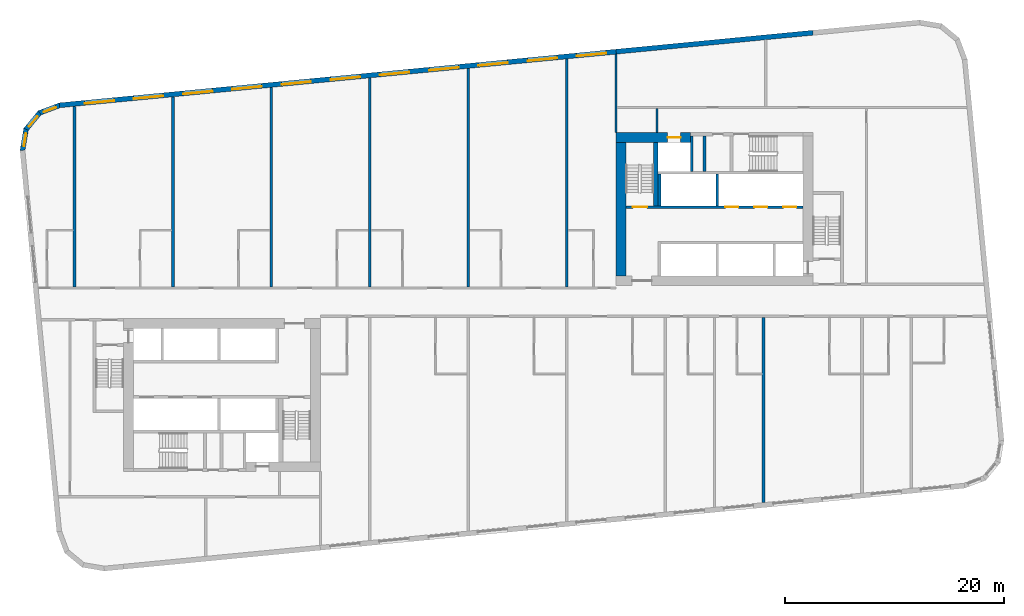
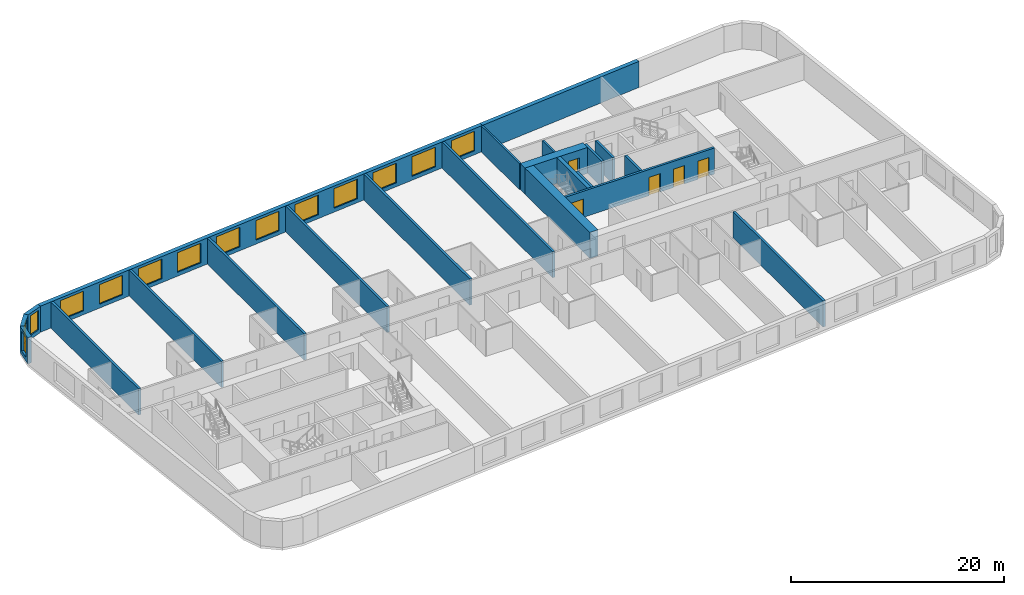
# One storey, part 6 of 12: 22 walls, 14 windows, 5 doors, 19 openings.
"""IFC4 building model written with IfcOpenShell, lengths in metres."""

from ifc_helpers import new_model, si_unit, direction, frame, frame_2d, origin, place, context, subcontext, project, spatial, polyline, rectangle, outline, extrude, material, layer, layer_set, type_object, element, fill, save


model = new_model("IFC4")

# Units and contexts
model_context = context("Model", 3, precision=1e-05, world=origin(), true_north=direction((0.0, 1.0)))
body_context = subcontext(model_context, "Body", "Model", "MODEL_VIEW")
ifc_project = project(units=[si_unit("LENGTHUNIT", "METRE"), si_unit("AREAUNIT", "SQUARE_METRE"), si_unit("VOLUMEUNIT", "CUBIC_METRE"), si_unit("PLANEANGLEUNIT", "RADIAN"), si_unit("MASSUNIT", "GRAM", prefix="KILO")], contexts=[model_context])

# Site, building, storey
site_placement = place(None, origin())
site = spatial("IfcSite", under=ifc_project, at=site_placement, CompositionType="ELEMENT")
building_placement = place(site_placement, origin())
building = spatial("IfcBuilding", under=site, at=building_placement, Name="Kajstack Hotel Tower", CompositionType="ELEMENT")
storey_placement = place(building_placement, frame((0.0, 0.0, 147.10009765625)))
storey = spatial("IfcBuildingStorey", under=building, at=storey_placement, Name="L34", CompositionType="ELEMENT", Elevation=147.10009765625)

# Wall, opening, door
ifc_material_1 = material(Name="Concrete C60/75", Category="concrete")
ifc_layer_1 = layer(ifc_material_1, 0.89990234375)
ifc_layer_set_1 = layer_set([ifc_layer_1], Name="Core wall 900")
wall_type_1 = type_object("IfcWallType", Name="Core wall 900", PredefinedType="SHEAR", material=ifc_layer_set_1)
wall_1_placement = place(storey_placement, frame((13.5, 15.050048828125, 0.0), z_axis=(0.0, 0.0, 1.0), x_axis=(1.0, 0.0, 0.0)))
wall_1 = element("IfcWall", 1, at=wall_1_placement, inside=storey, type_object=wall_type_1, Name="Core wall E RS", PredefinedType="SHEAR", context=body_context, shape_type="SweptSolid", body=[
    extrude(rectangle(XDim=6.800048828125, YDim=0.89990234375, at=frame_2d((3.39990234375, 0.0))), origin(), (0.0, 0.0, 1.0), 3.0),
])
opening_1_placement = place(wall_1_placement, frame((4.72509765625, 0.0, 0.0)))
opening_1 = element("IfcOpeningElement", 2, at=opening_1_placement, cuts=wall_1, Name="Opening LD-SV2", PredefinedType="OPENING", context=body_context, shape_type="SweptSolid", body=[
    extrude(rectangle(XDim=1.199951171875, YDim=2.10009765625, at=frame_2d((0.60009765625, 1.050048828125))), frame((0.0, 0.4599609375, 0.0), z_axis=(0.0, -1.0, 0.0), x_axis=(1.0, 0.0, 0.0)), (0.0, 0.0, 1.0), 0.919921875),
])
ifc_material_2 = material(Name="Stainless steel", Category="steel")
door_type_1 = type_object("IfcDoorType", Name="Lift landing door 1200", OperationType="SLIDING_TO_LEFT", PredefinedType="DOOR", material=ifc_material_2)
door_1_placement = place(opening_1_placement, origin())
door_1 = element("IfcDoor", 3, at=door_1_placement, inside=storey, type_object=door_type_1, Name="Landing door SV2", OperationType="SLIDING_TO_LEFT", OverallHeight=2.10009765625, OverallWidth=1.199951171875, PredefinedType="DOOR", context=body_context, shape_type="SweptSolid", body=[
    extrude(rectangle(XDim=1.199951171875, YDim=2.10009765625, at=frame_2d((0.60009765625, 1.050048828125))), frame((0.0, 0.02490234375, 0.0), z_axis=(0.0, -1.0, 0.0), x_axis=(1.0, 0.0, 0.0)), (0.0, 0.0, 1.0), 0.050048828125),
])
fill(opening_1, door_1)

# Walls
wall_2_placement = place(storey_placement, frame((13.949951171875, 2.39990234375, 0.0), z_axis=(0.0, 0.0, 1.0), x_axis=(0.0, 1.0, 0.0)))
element("IfcWall", 4, at=wall_2_placement, inside=storey, type_object=wall_type_1, Name="Core wall E RE", PredefinedType="SHEAR", context=body_context, shape_type="SweptSolid", body=[
    extrude(rectangle(XDim=12.2001953125, YDim=0.89990234375, at=frame_2d((6.10009765625, 0.0))), origin(), (0.0, 0.0, 1.0), 3.0),
])
ifc_material_3 = material(Name="Twin-frame gypsum board on steel studs, mineral wool", Category="steel")
ifc_layer_2 = layer(ifc_material_3, 0.199951171875)
ifc_layer_set_2 = layer_set([ifc_layer_2], Name="Demising wall 200")
wall_type_2 = type_object("IfcWallType", Name="Demising wall 200", PredefinedType="PARTITIONING", material=ifc_layer_set_2)
wall_3_placement = place(storey_placement, frame((13.5, 15.5, 0.0), z_axis=(0.0, 0.0, 1.0), x_axis=(0.0, 1.0, 0.0)))
element("IfcWall", 5, at=wall_3_placement, inside=storey, type_object=wall_type_2, Name="G-wall-L34-001", PredefinedType="PARTITIONING", context=body_context, shape_type="SweptSolid", body=[
    extrude(rectangle(XDim=7.162109375, YDim=0.199951171875, at=frame_2d((3.5810546875, 0.0))), origin(), (0.0, 0.0, 1.0), 3.0),
])
ifc_material_4 = material(Name="Concrete C40/50", Category="concrete")
ifc_layer_3 = layer(ifc_material_4, 0.449951171875)
ifc_layer_set_3 = layer_set([ifc_layer_3], Name="EW-CORE")
wall_type_3 = type_object("IfcWallType", Name="EW-CORE", PredefinedType="SOLIDWALL", material=ifc_layer_set_3)
wall_4_placement = place(storey_placement, frame((31.521484375, 24.623291015625, 0.0), z_axis=(0.0, 0.0, 1.0), x_axis=(-0.995396454615, -0.095843091245, 0.0)))
element("IfcWall", 6, at=wall_4_placement, inside=storey, type_object=wall_type_3, Name="E-wall-L34-12-01", PredefinedType="SOLIDWALL", context=body_context, shape_type="SweptSolid", body=[
    extrude(rectangle(XDim=18.083251953125, YDim=0.449951171875, at=frame_2d((9.04150390625, 0.0))), origin(), (0.0, 0.0, 1.0), 3.0),
])

# Wall, openings, windows
ifc_material_5 = material(Name="Terracotta-faced brick masonry", Category="masonry")
ifc_layer_4 = layer(ifc_material_5, 0.449951171875)
ifc_layer_set_4 = layer_set([ifc_layer_4], Name="EW-TERRA")
wall_type_4 = type_object("IfcWallType", Name="EW-TERRA", PredefinedType="SOLIDWALL", material=ifc_layer_set_4)
wall_5_placement = place(storey_placement, frame((13.521484375, 22.89013671875, 0.0), z_axis=(0.0, 0.0, 1.0), x_axis=(-0.995396445054, -0.095843190545, 0.0)))
wall_5 = element("IfcWall", 7, at=wall_5_placement, inside=storey, type_object=wall_type_4, Name="E-wall-L34-12-02", PredefinedType="SOLIDWALL", context=body_context, shape_type="SweptSolid", body=[
    extrude(rectangle(XDim=51.114013671875, YDim=0.449951171875, at=frame_2d((25.55712890625, 0.0))), origin(), (0.0, 0.0, 1.0), 3.0),
])
opening_2_placement = place(wall_5_placement, frame((0.910400390625, 0.0, 0.449951171875)))
opening_2 = element("IfcOpeningElement", 8, at=opening_2_placement, cuts=wall_5, Name="Opening W1", PredefinedType="OPENING", context=body_context, shape_type="SweptSolid", body=[
    extrude(rectangle(XDim=2.699951171875, YDim=2.25, at=frame_2d((1.35009765625, 1.125))), frame((0.0, 0.23486328125, 0.0), z_axis=(0.0, -1.0, 0.0), x_axis=(1.0, 0.0, 0.0)), (0.0, 0.0, 1.0), 0.469970703125),
])
opening_3_placement = place(wall_5_placement, frame((5.43115234375, 0.0, 0.449951171875)))
opening_3 = element("IfcOpeningElement", 9, at=opening_3_placement, cuts=wall_5, Name="Opening W1", PredefinedType="OPENING", context=body_context, shape_type="SweptSolid", body=[
    extrude(rectangle(XDim=2.699951171875, YDim=2.25, at=frame_2d((1.35009765625, 1.125))), frame((0.0, 0.23486328125, 0.0), z_axis=(0.0, -1.0, 0.0), x_axis=(1.0, 0.0, 0.0)), (0.0, 0.0, 1.0), 0.469970703125),
])
opening_4_placement = place(wall_5_placement, frame((9.951904296875, 0.0, 0.449951171875)))
opening_4 = element("IfcOpeningElement", 10, at=opening_4_placement, cuts=wall_5, Name="Opening W1", PredefinedType="OPENING", context=body_context, shape_type="SweptSolid", body=[
    extrude(rectangle(XDim=2.699951171875, YDim=2.25, at=frame_2d((1.35009765625, 1.125))), frame((0.0, 0.23486328125, 0.0), z_axis=(0.0, -1.0, 0.0), x_axis=(1.0, 0.0, 0.0)), (0.0, 0.0, 1.0), 0.469970703125),
])
opening_5_placement = place(wall_5_placement, frame((14.472900390625, 0.0, 0.449951171875)))
opening_5 = element("IfcOpeningElement", 11, at=opening_5_placement, cuts=wall_5, Name="Opening W1", PredefinedType="OPENING", context=body_context, shape_type="SweptSolid", body=[
    extrude(rectangle(XDim=2.699951171875, YDim=2.25, at=frame_2d((1.35009765625, 1.125))), frame((0.0, 0.23486328125, 0.0), z_axis=(0.0, -1.0, 0.0), x_axis=(1.0, 0.0, 0.0)), (0.0, 0.0, 1.0), 0.469970703125),
])
opening_6_placement = place(wall_5_placement, frame((18.99365234375, 0.0, 0.449951171875)))
opening_6 = element("IfcOpeningElement", 12, at=opening_6_placement, cuts=wall_5, Name="Opening W1", PredefinedType="OPENING", context=body_context, shape_type="SweptSolid", body=[
    extrude(rectangle(XDim=2.699951171875, YDim=2.25, at=frame_2d((1.35009765625, 1.125))), frame((0.0, 0.23486328125, 0.0), z_axis=(0.0, -1.0, 0.0), x_axis=(1.0, 0.0, 0.0)), (0.0, 0.0, 1.0), 0.469970703125),
])
opening_7_placement = place(wall_5_placement, frame((23.514404296875, 0.0, 0.449951171875)))
opening_7 = element("IfcOpeningElement", 13, at=opening_7_placement, cuts=wall_5, Name="Opening W1", PredefinedType="OPENING", context=body_context, shape_type="SweptSolid", body=[
    extrude(rectangle(XDim=2.699951171875, YDim=2.25, at=frame_2d((1.35009765625, 1.125))), frame((0.0, 0.23486328125, 0.0), z_axis=(0.0, -1.0, 0.0), x_axis=(1.0, 0.0, 0.0)), (0.0, 0.0, 1.0), 0.469970703125),
])
opening_8_placement = place(wall_5_placement, frame((28.035400390625, 0.0, 0.449951171875)))
opening_8 = element("IfcOpeningElement", 14, at=opening_8_placement, cuts=wall_5, Name="Opening W1", PredefinedType="OPENING", context=body_context, shape_type="SweptSolid", body=[
    extrude(rectangle(XDim=2.699951171875, YDim=2.25, at=frame_2d((1.35009765625, 1.125))), frame((0.0, 0.23486328125, 0.0), z_axis=(0.0, -1.0, 0.0), x_axis=(1.0, 0.0, 0.0)), (0.0, 0.0, 1.0), 0.469970703125),
])
opening_9_placement = place(wall_5_placement, frame((32.55615234375, 0.0, 0.449951171875)))
opening_9 = element("IfcOpeningElement", 15, at=opening_9_placement, cuts=wall_5, Name="Opening W1", PredefinedType="OPENING", context=body_context, shape_type="SweptSolid", body=[
    extrude(rectangle(XDim=2.699951171875, YDim=2.25, at=frame_2d((1.35009765625, 1.125))), frame((0.0, 0.23486328125, 0.0), z_axis=(0.0, -1.0, 0.0), x_axis=(1.0, 0.0, 0.0)), (0.0, 0.0, 1.0), 0.469970703125),
])
opening_10_placement = place(wall_5_placement, frame((37.076904296875, 0.0, 0.449951171875)))
opening_10 = element("IfcOpeningElement", 16, at=opening_10_placement, cuts=wall_5, Name="Opening W1", PredefinedType="OPENING", context=body_context, shape_type="SweptSolid", body=[
    extrude(rectangle(XDim=2.699951171875, YDim=2.25, at=frame_2d((1.35009765625, 1.125))), frame((0.0, 0.23486328125, 0.0), z_axis=(0.0, -1.0, 0.0), x_axis=(1.0, 0.0, 0.0)), (0.0, 0.0, 1.0), 0.469970703125),
])
opening_11_placement = place(wall_5_placement, frame((41.59765625, 0.0, 0.449951171875)))
opening_11 = element("IfcOpeningElement", 17, at=opening_11_placement, cuts=wall_5, Name="Opening W1", PredefinedType="OPENING", context=body_context, shape_type="SweptSolid", body=[
    extrude(rectangle(XDim=2.699951171875, YDim=2.25, at=frame_2d((1.35009765625, 1.125))), frame((0.0, 0.23486328125, 0.0), z_axis=(0.0, -1.0, 0.0), x_axis=(1.0, 0.0, 0.0)), (0.0, 0.0, 1.0), 0.469970703125),
])
opening_12_placement = place(wall_5_placement, frame((46.118408203125, 0.0, 0.449951171875)))
opening_12 = element("IfcOpeningElement", 18, at=opening_12_placement, cuts=wall_5, Name="Opening W1", PredefinedType="OPENING", context=body_context, shape_type="SweptSolid", body=[
    extrude(rectangle(XDim=2.699951171875, YDim=2.25, at=frame_2d((1.35009765625, 1.125))), frame((0.0, 0.23486328125, 0.0), z_axis=(0.0, -1.0, 0.0), x_axis=(1.0, 0.0, 0.0)), (0.0, 0.0, 1.0), 0.469970703125),
])
ifc_material_6 = material(Name="Timber-aluminium window, triple glazed", Category="wood")
window_type_1 = type_object("IfcWindowType", Name="WG1", PartitioningType="SINGLE_PANEL", PredefinedType="WINDOW", material=ifc_material_6)
window_1_placement = place(opening_2_placement, origin())
window_1 = element("IfcWindow", 19, at=window_1_placement, inside=storey, type_object=window_type_1, Name="Window W1 L34-12", OverallHeight=2.25, OverallWidth=2.699951171875, PartitioningType="SINGLE_PANEL", PredefinedType="WINDOW", context=body_context, shape_type="SweptSolid", body=[
    extrude(rectangle(XDim=2.699951171875, YDim=2.25, at=frame_2d((1.35009765625, 1.125))), frame((0.0, 0.090087890625, 0.0), z_axis=(0.0, -1.0, 0.0), x_axis=(1.0, 0.0, 0.0)), (0.0, 0.0, 1.0), 0.06005859375),
])
fill(opening_2, window_1)
window_2_placement = place(opening_3_placement, origin())
window_2 = element("IfcWindow", 20, at=window_2_placement, inside=storey, type_object=window_type_1, Name="Window W1 L34-12", OverallHeight=2.25, OverallWidth=2.699951171875, PartitioningType="SINGLE_PANEL", PredefinedType="WINDOW", context=body_context, shape_type="SweptSolid", body=[
    extrude(rectangle(XDim=2.699951171875, YDim=2.25, at=frame_2d((1.35009765625, 1.125))), frame((0.0, 0.090087890625, 0.0), z_axis=(0.0, -1.0, 0.0), x_axis=(1.0, 0.0, 0.0)), (0.0, 0.0, 1.0), 0.06005859375),
])
fill(opening_3, window_2)
window_3_placement = place(opening_4_placement, origin())
window_3 = element("IfcWindow", 21, at=window_3_placement, inside=storey, type_object=window_type_1, Name="Window W1 L34-12", OverallHeight=2.25, OverallWidth=2.699951171875, PartitioningType="SINGLE_PANEL", PredefinedType="WINDOW", context=body_context, shape_type="SweptSolid", body=[
    extrude(rectangle(XDim=2.699951171875, YDim=2.25, at=frame_2d((1.35009765625, 1.125))), frame((0.0, 0.090087890625, 0.0), z_axis=(0.0, -1.0, 0.0), x_axis=(1.0, 0.0, 0.0)), (0.0, 0.0, 1.0), 0.06005859375),
])
fill(opening_4, window_3)
window_4_placement = place(opening_5_placement, origin())
window_4 = element("IfcWindow", 22, at=window_4_placement, inside=storey, type_object=window_type_1, Name="Window W1 L34-12", OverallHeight=2.25, OverallWidth=2.699951171875, PartitioningType="SINGLE_PANEL", PredefinedType="WINDOW", context=body_context, shape_type="SweptSolid", body=[
    extrude(rectangle(XDim=2.699951171875, YDim=2.25, at=frame_2d((1.35009765625, 1.125))), frame((0.0, 0.090087890625, 0.0), z_axis=(0.0, -1.0, 0.0), x_axis=(1.0, 0.0, 0.0)), (0.0, 0.0, 1.0), 0.06005859375),
])
fill(opening_5, window_4)
window_5_placement = place(opening_6_placement, origin())
window_5 = element("IfcWindow", 23, at=window_5_placement, inside=storey, type_object=window_type_1, Name="Window W1 L34-12", OverallHeight=2.25, OverallWidth=2.699951171875, PartitioningType="SINGLE_PANEL", PredefinedType="WINDOW", context=body_context, shape_type="SweptSolid", body=[
    extrude(rectangle(XDim=2.699951171875, YDim=2.25, at=frame_2d((1.35009765625, 1.125))), frame((0.0, 0.090087890625, 0.0), z_axis=(0.0, -1.0, 0.0), x_axis=(1.0, 0.0, 0.0)), (0.0, 0.0, 1.0), 0.06005859375),
])
fill(opening_6, window_5)
window_6_placement = place(opening_7_placement, origin())
window_6 = element("IfcWindow", 24, at=window_6_placement, inside=storey, type_object=window_type_1, Name="Window W1 L34-12", OverallHeight=2.25, OverallWidth=2.699951171875, PartitioningType="SINGLE_PANEL", PredefinedType="WINDOW", context=body_context, shape_type="SweptSolid", body=[
    extrude(rectangle(XDim=2.699951171875, YDim=2.25, at=frame_2d((1.35009765625, 1.125))), frame((0.0, 0.090087890625, 0.0), z_axis=(0.0, -1.0, 0.0), x_axis=(1.0, 0.0, 0.0)), (0.0, 0.0, 1.0), 0.06005859375),
])
fill(opening_7, window_6)
window_7_placement = place(opening_8_placement, origin())
window_7 = element("IfcWindow", 25, at=window_7_placement, inside=storey, type_object=window_type_1, Name="Window W1 L34-12", OverallHeight=2.25, OverallWidth=2.699951171875, PartitioningType="SINGLE_PANEL", PredefinedType="WINDOW", context=body_context, shape_type="SweptSolid", body=[
    extrude(rectangle(XDim=2.699951171875, YDim=2.25, at=frame_2d((1.35009765625, 1.125))), frame((0.0, 0.090087890625, 0.0), z_axis=(0.0, -1.0, 0.0), x_axis=(1.0, 0.0, 0.0)), (0.0, 0.0, 1.0), 0.06005859375),
])
fill(opening_8, window_7)
window_8_placement = place(opening_9_placement, origin())
window_8 = element("IfcWindow", 26, at=window_8_placement, inside=storey, type_object=window_type_1, Name="Window W1 L34-12", OverallHeight=2.25, OverallWidth=2.699951171875, PartitioningType="SINGLE_PANEL", PredefinedType="WINDOW", context=body_context, shape_type="SweptSolid", body=[
    extrude(rectangle(XDim=2.699951171875, YDim=2.25, at=frame_2d((1.35009765625, 1.125))), frame((0.0, 0.090087890625, 0.0), z_axis=(0.0, -1.0, 0.0), x_axis=(1.0, 0.0, 0.0)), (0.0, 0.0, 1.0), 0.06005859375),
])
fill(opening_9, window_8)
window_9_placement = place(opening_10_placement, origin())
window_9 = element("IfcWindow", 27, at=window_9_placement, inside=storey, type_object=window_type_1, Name="Window W1 L34-12", OverallHeight=2.25, OverallWidth=2.699951171875, PartitioningType="SINGLE_PANEL", PredefinedType="WINDOW", context=body_context, shape_type="SweptSolid", body=[
    extrude(rectangle(XDim=2.699951171875, YDim=2.25, at=frame_2d((1.35009765625, 1.125))), frame((0.0, 0.090087890625, 0.0), z_axis=(0.0, -1.0, 0.0), x_axis=(1.0, 0.0, 0.0)), (0.0, 0.0, 1.0), 0.06005859375),
])
fill(opening_10, window_9)
window_10_placement = place(opening_11_placement, origin())
window_10 = element("IfcWindow", 28, at=window_10_placement, inside=storey, type_object=window_type_1, Name="Window W1 L34-12", OverallHeight=2.25, OverallWidth=2.699951171875, PartitioningType="SINGLE_PANEL", PredefinedType="WINDOW", context=body_context, shape_type="SweptSolid", body=[
    extrude(rectangle(XDim=2.699951171875, YDim=2.25, at=frame_2d((1.35009765625, 1.125))), frame((0.0, 0.090087890625, 0.0), z_axis=(0.0, -1.0, 0.0), x_axis=(1.0, 0.0, 0.0)), (0.0, 0.0, 1.0), 0.06005859375),
])
fill(opening_11, window_10)
window_11_placement = place(opening_12_placement, origin())
window_11 = element("IfcWindow", 29, at=window_11_placement, inside=storey, type_object=window_type_1, Name="Window W1 L34-12", OverallHeight=2.25, OverallWidth=2.699951171875, PartitioningType="SINGLE_PANEL", PredefinedType="WINDOW", context=body_context, shape_type="SweptSolid", body=[
    extrude(rectangle(XDim=2.699951171875, YDim=2.25, at=frame_2d((1.35009765625, 1.125))), frame((0.0, 0.090087890625, 0.0), z_axis=(0.0, -1.0, 0.0), x_axis=(1.0, 0.0, 0.0)), (0.0, 0.0, 1.0), 0.06005859375),
])
fill(opening_12, window_11)

# Wall, opening, window
wall_6_placement = place(storey_placement, frame((-37.300048828125, 18.00439453125, 0.0), z_axis=(0.0, 0.0, 1.0), x_axis=(-0.936677599948, -0.350192909346, 0.0)))
wall_6 = element("IfcWall", 30, at=wall_6_placement, inside=storey, type_object=wall_type_4, Name="E-wall-L34-13-00", PredefinedType="SOLIDWALL", context=body_context, shape_type="SweptSolid", body=[
    extrude(outline(polyline([(0.0, -0.224853515625), (2.070556640625, -0.224853515625), (1.949951171875, 0.22509765625), (0.12060546875, 0.22509765625), (0.0, -0.224853515625)])), origin(), (0.0, 0.0, 1.0), 3.0),
])
opening_13_placement = place(wall_6_placement, frame((0.435302734375, 0.0, 0.449951171875)))
opening_13 = element("IfcOpeningElement", 31, at=opening_13_placement, cuts=wall_6, Name="Opening W3", PredefinedType="OPENING", context=body_context, shape_type="SweptSolid", body=[
    extrude(rectangle(XDim=1.199951171875, YDim=2.25, at=frame_2d((0.60009765625, 1.125))), frame((0.0, 0.23486328125, 0.0), z_axis=(0.0, -1.0, 0.0), x_axis=(1.0, 0.0, 0.0)), (0.0, 0.0, 1.0), 0.469970703125),
])
window_type_2 = type_object("IfcWindowType", Name="WG3", PartitioningType="SINGLE_PANEL", PredefinedType="WINDOW", material=ifc_material_6)
window_12_placement = place(opening_13_placement, origin())
window_12 = element("IfcWindow", 32, at=window_12_placement, inside=storey, type_object=window_type_2, Name="Window W3 L34-13", OverallHeight=2.25, OverallWidth=1.199951171875, PartitioningType="SINGLE_PANEL", PredefinedType="WINDOW", context=body_context, shape_type="SweptSolid", body=[
    extrude(rectangle(XDim=1.199951171875, YDim=2.25, at=frame_2d((0.60009765625, 1.125))), frame((0.0, 0.090087890625, 0.0), z_axis=(0.0, -1.0, 0.0), x_axis=(1.0, 0.0, 0.0)), (0.0, 0.0, 1.0), 0.06005859375),
])
fill(opening_13, window_12)

wall_7_placement = place(storey_placement, frame((-39.144775390625, 17.346923828125, 0.0), z_axis=(0.0, 0.0, 1.0), x_axis=(-0.636046112757, -0.771651049663, 0.0)))
wall_7 = element("IfcWall", 33, at=wall_7_placement, inside=storey, type_object=wall_type_4, Name="E-wall-L34-14-00", PredefinedType="SOLIDWALL", context=body_context, shape_type="SweptSolid", body=[
    extrude(outline(polyline([(0.0, -0.224853515625), (2.070556640625, -0.224853515625), (1.949951171875, 0.22509765625), (0.12060546875, 0.22509765625), (0.0, -0.224853515625)])), origin(), (0.0, 0.0, 1.0), 3.0),
])
opening_14_placement = place(wall_7_placement, frame((0.435302734375, 0.0, 0.449951171875)))
opening_14 = element("IfcOpeningElement", 34, at=opening_14_placement, cuts=wall_7, Name="Opening W3", PredefinedType="OPENING", context=body_context, shape_type="SweptSolid", body=[
    extrude(rectangle(XDim=1.199951171875, YDim=2.25, at=frame_2d((0.60009765625, 1.125))), frame((0.0, 0.23486328125, 0.0), z_axis=(0.0, -1.0, 0.0), x_axis=(1.0, 0.0, 0.0)), (0.0, 0.0, 1.0), 0.469970703125),
])
window_13_placement = place(opening_14_placement, origin())
window_13 = element("IfcWindow", 35, at=window_13_placement, inside=storey, type_object=window_type_2, Name="Window W3 L34-14", OverallHeight=2.25, OverallWidth=1.199951171875, PartitioningType="SINGLE_PANEL", PredefinedType="WINDOW", context=body_context, shape_type="SweptSolid", body=[
    extrude(rectangle(XDim=1.199951171875, YDim=2.25, at=frame_2d((0.60009765625, 1.125))), frame((0.0, 0.090087890625, 0.0), z_axis=(0.0, -1.0, 0.0), x_axis=(1.0, 0.0, 0.0)), (0.0, 0.0, 1.0), 0.06005859375),
])
fill(opening_14, window_13)

wall_8_placement = place(storey_placement, frame((-40.413330078125, 15.855224609375, 0.0), z_axis=(0.0, 0.0, 1.0), x_axis=(-0.165068144653, -0.986282164302, 0.0)))
wall_8 = element("IfcWall", 36, at=wall_8_placement, inside=storey, type_object=wall_type_4, Name="E-wall-L34-15-00", PredefinedType="SOLIDWALL", context=body_context, shape_type="SweptSolid", body=[
    extrude(outline(polyline([(0.0, -0.22509765625), (2.070556640625, -0.224853515625), (1.9501953125, 0.22509765625), (0.12060546875, 0.224853515625), (0.0, -0.22509765625)])), origin(), (0.0, 0.0, 1.0), 3.0),
])
opening_15_placement = place(wall_8_placement, frame((0.435302734375, 0.0, 0.449951171875)))
opening_15 = element("IfcOpeningElement", 37, at=opening_15_placement, cuts=wall_8, Name="Opening W3", PredefinedType="OPENING", context=body_context, shape_type="SweptSolid", body=[
    extrude(rectangle(XDim=1.199951171875, YDim=2.25, at=frame_2d((0.60009765625, 1.125))), frame((0.0, 0.23486328125, 0.0), z_axis=(0.0, -1.0, 0.0), x_axis=(1.0, 0.0, 0.0)), (0.0, 0.0, 1.0), 0.469970703125),
])
window_14_placement = place(opening_15_placement, origin())
window_14 = element("IfcWindow", 38, at=window_14_placement, inside=storey, type_object=window_type_2, Name="Window W3 L34-15", OverallHeight=2.25, OverallWidth=1.199951171875, PartitioningType="SINGLE_PANEL", PredefinedType="WINDOW", context=body_context, shape_type="SweptSolid", body=[
    extrude(rectangle(XDim=1.199951171875, YDim=2.25, at=frame_2d((0.60009765625, 1.125))), frame((0.0, 0.090087890625, 0.0), z_axis=(0.0, -1.0, 0.0), x_axis=(1.0, 0.0, 0.0)), (0.0, 0.0, 1.0), 0.06005859375),
])
fill(opening_15, window_14)

# Walls
ifc_material_7 = material(Name="Concrete C50/60", Category="concrete")
ifc_layer_5 = layer(ifc_material_7, 0.300048828125)
ifc_layer_set_5 = layer_set([ifc_layer_5], Name="Hoistway divider wall 300")
wall_type_5 = type_object("IfcWallType", Name="Hoistway divider wall 300", PredefinedType="SHEAR", material=ifc_layer_set_5)
wall_9_placement = place(storey_placement, frame((22.77490234375, 8.800048828125, 0.0), z_axis=(0.0, 0.0, 1.0), x_axis=(0.0, 1.0, 0.0)))
element("IfcWall", 39, at=wall_9_placement, inside=storey, type_object=wall_type_5, Name="Core wall E BP2", PredefinedType="SHEAR", context=body_context, shape_type="SweptSolid", body=[
    extrude(rectangle(XDim=2.89990234375, YDim=0.25, at=frame_2d((1.449951171875, 0.0))), origin(), (0.0, 0.0, 1.0), 3.0),
])
ifc_material_8 = material(Name="Concrete C55/67", Category="concrete")
ifc_layer_6 = layer(ifc_material_8, 0.25)
ifc_layer_set_6 = layer_set([ifc_layer_6], Name="RC cross wall 250 C55/67")
wall_type_6 = type_object("IfcWallType", Name="RC cross wall 250 C55/67", PredefinedType="SHEAR", material=ifc_layer_set_6)
wall_10_placement = place(storey_placement, frame((-36.0, 1.39990234375, 0.0), z_axis=(0.0, 0.0, 1.0), x_axis=(0.0, 1.0, 0.0)))
element("IfcWall", 40, at=wall_10_placement, inside=storey, type_object=wall_type_6, Name="S-wall-L34-01", PredefinedType="SHEAR", context=body_context, shape_type="SweptSolid", body=[
    extrude(rectangle(XDim=16.473876953125, YDim=0.25, at=frame_2d((8.23681640625, 0.0))), origin(), (0.0, 0.0, 1.0), 3.0),
])
wall_11_placement = place(storey_placement, frame((-27.0, 1.39990234375, 0.0), z_axis=(0.0, 0.0, 1.0), x_axis=(0.0, 1.0, 0.0)))
element("IfcWall", 41, at=wall_11_placement, inside=storey, type_object=wall_type_6, Name="S-wall-L34-02", PredefinedType="SHEAR", context=body_context, shape_type="SweptSolid", body=[
    extrude(rectangle(XDim=17.34033203125, YDim=0.25, at=frame_2d((8.670166015625, 0.0))), origin(), (0.0, 0.0, 1.0), 3.0),
])
wall_12_placement = place(storey_placement, frame((-18.0, 1.39990234375, 0.0), z_axis=(0.0, 0.0, 1.0), x_axis=(0.0, 1.0, 0.0)))
element("IfcWall", 42, at=wall_12_placement, inside=storey, type_object=wall_type_6, Name="S-wall-L34-03", PredefinedType="SHEAR", context=body_context, shape_type="SweptSolid", body=[
    extrude(rectangle(XDim=18.20703125, YDim=0.25, at=frame_2d((9.103515625, 0.0))), origin(), (0.0, 0.0, 1.0), 3.0),
])
wall_13_placement = place(storey_placement, frame((-9.0, 1.39990234375, 0.0), z_axis=(0.0, 0.0, 1.0), x_axis=(0.0, 1.0, 0.0)))
element("IfcWall", 43, at=wall_13_placement, inside=storey, type_object=wall_type_6, Name="S-wall-L34-05", PredefinedType="SHEAR", context=body_context, shape_type="SweptSolid", body=[
    extrude(rectangle(XDim=19.073486328125, YDim=0.25, at=frame_2d((9.53662109375, 0.0))), origin(), (0.0, 0.0, 1.0), 3.0),
])
wall_14_placement = place(storey_placement, frame((0.0, 1.39990234375, 0.0), z_axis=(0.0, 0.0, 1.0), x_axis=(0.0, 1.0, 0.0)))
element("IfcWall", 44, at=wall_14_placement, inside=storey, type_object=wall_type_6, Name="S-wall-L34-07", PredefinedType="SHEAR", context=body_context, shape_type="SweptSolid", body=[
    extrude(rectangle(XDim=19.940185546875, YDim=0.25, at=frame_2d((9.97021484375, 0.0))), origin(), (0.0, 0.0, 1.0), 3.0),
])
wall_15_placement = place(storey_placement, frame((9.0, 1.39990234375, 0.0), z_axis=(0.0, 0.0, 1.0), x_axis=(0.0, 1.0, 0.0)))
element("IfcWall", 45, at=wall_15_placement, inside=storey, type_object=wall_type_6, Name="S-wall-L34-09", PredefinedType="SHEAR", context=body_context, shape_type="SweptSolid", body=[
    extrude(rectangle(XDim=20.806884765625, YDim=0.25, at=frame_2d((10.4033203125, 0.0))), origin(), (0.0, 0.0, 1.0), 3.0),
])
wall_16_placement = place(storey_placement, frame((27.0, -18.310546875, 0.0), z_axis=(0.0, 0.0, 1.0), x_axis=(0.0, 1.0, 0.0)))
element("IfcWall", 46, at=wall_16_placement, inside=storey, type_object=wall_type_6, Name="S-wall-L34-11", PredefinedType="SHEAR", context=body_context, shape_type="SweptSolid", body=[
    extrude(rectangle(XDim=16.91064453125, YDim=0.25, at=frame_2d((8.455322265625, 0.0))), origin(), (0.0, 0.0, 1.0), 3.0),
])
ifc_material_9 = material(Name="Concrete block masonry", Category="masonry")
ifc_layer_7 = layer(ifc_material_9, 0.25)
ifc_layer_set_7 = layer_set([ifc_layer_7], Name="Riser partition 250")
wall_type_7 = type_object("IfcWallType", Name="Riser partition 250", PredefinedType="PARTITIONING", material=ifc_layer_set_7)
wall_17_placement = place(storey_placement, frame((21.60009765625, 11.949951171875, 0.0), z_axis=(0.0, 0.0, 1.0), x_axis=(0.0, 1.0, 0.0)))
element("IfcWall", 47, at=wall_17_placement, inside=storey, type_object=wall_type_7, Name="Partition E SZ0", PredefinedType="PARTITIONING", context=body_context, shape_type="SweptSolid", body=[
    extrude(rectangle(XDim=3.25, YDim=0.25, at=frame_2d((1.625, 0.0))), origin(), (0.0, 0.0, 1.0), 3.0),
])
ifc_material_10 = material(Name="Gypsum board on steel studs, mineral wool", Category="steel")
ifc_layer_8 = layer(ifc_material_10, 0.199951171875)
ifc_layer_set_8 = layer_set([ifc_layer_8], Name="Service partition 200")
wall_type_8 = type_object("IfcWallType", Name="Service partition 200", PredefinedType="PARTITIONING", material=ifc_layer_set_8)
wall_18_placement = place(storey_placement, frame((17.25, 15.5, 0.0), z_axis=(0.0, 0.0, 1.0), x_axis=(0.0, 1.0, 0.0)))
element("IfcWall", 48, at=wall_18_placement, inside=storey, type_object=wall_type_8, Name="Partition E SCE", PredefinedType="PARTITIONING", context=body_context, shape_type="SweptSolid", body=[
    extrude(rectangle(XDim=2.199951171875, YDim=0.199951171875, at=frame_2d((1.10009765625, 0.0))), origin(), (0.0, 0.0, 1.0), 3.0),
])

# Wall, openings, doors
ifc_layer_9 = layer(ifc_material_7, 0.25)
ifc_layer_set_9 = layer_set([ifc_layer_9], Name="Shaft wall 250")
wall_type_9 = type_object("IfcWallType", Name="Shaft wall 250", PredefinedType="SHEAR", material=ifc_layer_set_9)
wall_19_placement = place(storey_placement, frame((14.39990234375, 8.675048828125, 0.0), z_axis=(0.0, 0.0, 1.0), x_axis=(1.0, 0.0, 0.0)))
wall_19 = element("IfcWall", 49, at=wall_19_placement, inside=storey, type_object=wall_type_9, Name="Core wall E FB", PredefinedType="SHEAR", context=body_context, shape_type="SweptSolid", body=[
    extrude(rectangle(XDim=16.2001953125, YDim=0.25, at=frame_2d((8.10009765625, 0.0))), origin(), (0.0, 0.0, 1.0), 3.0),
])
opening_16_placement = place(wall_19_placement, frame((14.39990234375, 0.0, 0.0)))
opening_16 = element("IfcOpeningElement", 50, at=opening_16_placement, cuts=wall_19, Name="Opening LD-LR4", PredefinedType="OPENING", context=body_context, shape_type="SweptSolid", body=[
    extrude(rectangle(XDim=1.199951171875, YDim=2.10009765625, at=frame_2d((0.60009765625, 1.050048828125))), frame((0.0, 0.135009765625, 0.0), z_axis=(0.0, -1.0, 0.0), x_axis=(1.0, 0.0, 0.0)), (0.0, 0.0, 1.0), 0.27001953125),
])
opening_17_placement = place(wall_19_placement, frame((11.75, 0.0, 0.0)))
opening_17 = element("IfcOpeningElement", 51, at=opening_17_placement, cuts=wall_19, Name="Opening LD-LR5", PredefinedType="OPENING", context=body_context, shape_type="SweptSolid", body=[
    extrude(rectangle(XDim=1.199951171875, YDim=2.10009765625, at=frame_2d((0.60009765625, 1.050048828125))), frame((0.0, 0.135009765625, 0.0), z_axis=(0.0, -1.0, 0.0), x_axis=(1.0, 0.0, 0.0)), (0.0, 0.0, 1.0), 0.27001953125),
])
opening_18_placement = place(wall_19_placement, frame((9.10009765625, 0.0, 0.0)))
opening_18 = element("IfcOpeningElement", 52, at=opening_18_placement, cuts=wall_19, Name="Opening LD-LR6", PredefinedType="OPENING", context=body_context, shape_type="SweptSolid", body=[
    extrude(rectangle(XDim=1.199951171875, YDim=2.10009765625, at=frame_2d((0.60009765625, 1.050048828125))), frame((0.0, 0.135009765625, 0.0), z_axis=(0.0, -1.0, 0.0), x_axis=(1.0, 0.0, 0.0)), (0.0, 0.0, 1.0), 0.27001953125),
])
opening_19_placement = place(wall_19_placement, frame((0.64990234375, 0.0, 0.0)))
opening_19 = element("IfcOpeningElement", 53, at=opening_19_placement, cuts=wall_19, Name="Opening 34E10", PredefinedType="OPENING", context=body_context, shape_type="SweptSolid", body=[
    extrude(rectangle(XDim=1.300048828125, YDim=2.10009765625, at=frame_2d((0.64990234375, 1.050048828125))), frame((0.0, 0.135009765625, 0.0), z_axis=(0.0, -1.0, 0.0), x_axis=(1.0, 0.0, 0.0)), (0.0, 0.0, 1.0), 0.27001953125),
])
door_2_placement = place(opening_16_placement, origin())
door_2 = element("IfcDoor", 54, at=door_2_placement, inside=storey, type_object=door_type_1, Name="Landing door LR4", OperationType="SLIDING_TO_LEFT", OverallHeight=2.10009765625, OverallWidth=1.199951171875, PredefinedType="DOOR", context=body_context, shape_type="SweptSolid", body=[
    extrude(rectangle(XDim=1.199951171875, YDim=2.10009765625, at=frame_2d((0.60009765625, 1.050048828125))), frame((0.0, 0.02490234375, 0.0), z_axis=(0.0, -1.0, 0.0), x_axis=(1.0, 0.0, 0.0)), (0.0, 0.0, 1.0), 0.050048828125),
])
fill(opening_16, door_2)
door_3_placement = place(opening_17_placement, origin())
door_3 = element("IfcDoor", 55, at=door_3_placement, inside=storey, type_object=door_type_1, Name="Landing door LR5", OperationType="SLIDING_TO_RIGHT", OverallHeight=2.10009765625, OverallWidth=1.199951171875, PredefinedType="DOOR", context=body_context, shape_type="SweptSolid", body=[
    extrude(rectangle(XDim=1.199951171875, YDim=2.10009765625, at=frame_2d((0.60009765625, 1.050048828125))), frame((0.0, 0.02490234375, 0.0), z_axis=(0.0, -1.0, 0.0), x_axis=(1.0, 0.0, 0.0)), (0.0, 0.0, 1.0), 0.050048828125),
])
fill(opening_17, door_3)
door_4_placement = place(opening_18_placement, origin())
door_4 = element("IfcDoor", 56, at=door_4_placement, inside=storey, type_object=door_type_1, Name="Landing door LR6", OperationType="SLIDING_TO_RIGHT", OverallHeight=2.10009765625, OverallWidth=1.199951171875, PredefinedType="DOOR", context=body_context, shape_type="SweptSolid", body=[
    extrude(rectangle(XDim=1.199951171875, YDim=2.10009765625, at=frame_2d((0.60009765625, 1.050048828125))), frame((0.0, 0.02490234375, 0.0), z_axis=(0.0, -1.0, 0.0), x_axis=(1.0, 0.0, 0.0)), (0.0, 0.0, 1.0), 0.050048828125),
])
fill(opening_18, door_4)
ifc_material_11 = material(Name="Steel leaf, fire-rated", Category="steel")
door_type_2 = type_object("IfcDoorType", Name="Stair door 1300", OperationType="SINGLE_SWING_LEFT", PredefinedType="DOOR", material=ifc_material_11)
door_5_placement = place(opening_19_placement, origin())
door_5 = element("IfcDoor", 57, at=door_5_placement, inside=storey, type_object=door_type_2, Name="Door 34E10", OperationType="SINGLE_SWING_LEFT", OverallHeight=2.10009765625, OverallWidth=1.300048828125, PredefinedType="DOOR", context=body_context, shape_type="SweptSolid", body=[
    extrude(rectangle(XDim=1.300048828125, YDim=2.10009765625, at=frame_2d((0.64990234375, 1.050048828125))), frame((0.0, 0.02490234375, 0.0), z_axis=(0.0, -1.0, 0.0), x_axis=(1.0, 0.0, 0.0)), (0.0, 0.0, 1.0), 0.050048828125),
])
fill(opening_19, door_5)

# Walls
wall_20_placement = place(storey_placement, frame((17.47509765625, 8.800048828125, 0.0), z_axis=(0.0, 0.0, 1.0), x_axis=(0.0, 1.0, 0.0)))
element("IfcWall", 58, at=wall_20_placement, inside=storey, type_object=wall_type_9, Name="Core wall E BE", PredefinedType="SHEAR", context=body_context, shape_type="SweptSolid", body=[
    extrude(rectangle(XDim=2.89990234375, YDim=0.25, at=frame_2d((1.449951171875, 0.0))), origin(), (0.0, 0.0, 1.0), 3.0),
])
wall_21_placement = place(storey_placement, frame((20.425048828125, 11.949951171875, 0.0), z_axis=(0.0, 0.0, 1.0), x_axis=(0.0, 1.0, 0.0)))
element("IfcWall", 59, at=wall_21_placement, inside=storey, type_object=wall_type_9, Name="Core wall E SVW", PredefinedType="SHEAR", context=body_context, shape_type="SweptSolid", body=[
    extrude(rectangle(XDim=3.25, YDim=0.25, at=frame_2d((1.625, 0.0))), origin(), (0.0, 0.0, 1.0), 3.0),
])
ifc_layer_10 = layer(ifc_material_7, 0.39990234375)
ifc_layer_set_10 = layer_set([ifc_layer_10], Name="Stair wall 400")
wall_type_10 = type_object("IfcWallType", Name="Stair wall 400", PredefinedType="SHEAR", material=ifc_layer_set_10)
wall_22_placement = place(storey_placement, frame((17.14990234375, 8.800048828125, 0.0), z_axis=(0.0, 0.0, 1.0), x_axis=(0.0, 1.0, 0.0)))
element("IfcWall", 60, at=wall_22_placement, inside=storey, type_object=wall_type_10, Name="Core wall E WW2", PredefinedType="SHEAR", context=body_context, shape_type="SweptSolid", body=[
    extrude(rectangle(XDim=5.800048828125, YDim=0.39990234375, at=frame_2d((2.89990234375, 0.0))), origin(), (0.0, 0.0, 1.0), 3.0),
])

save(model, "model.ifc")
